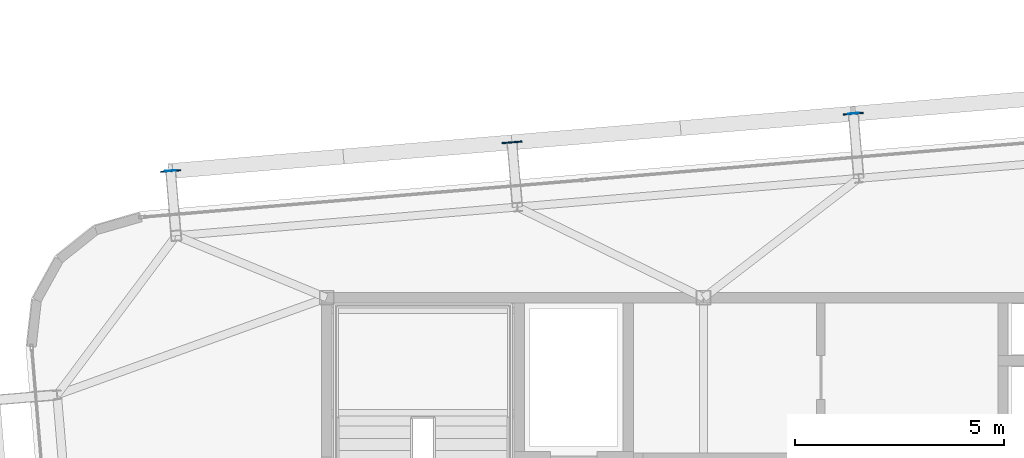
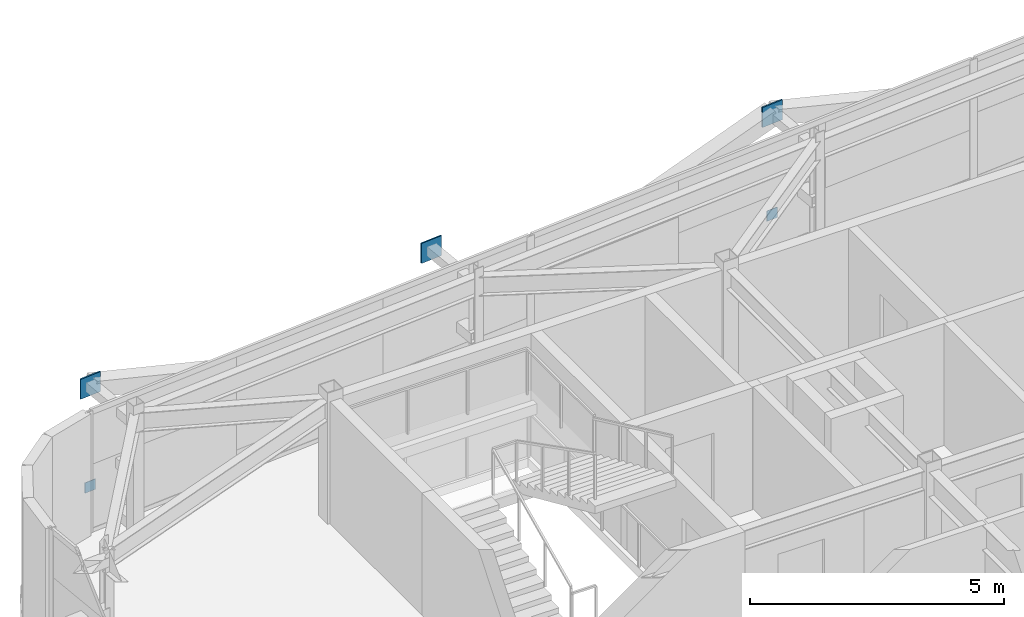
# One storey, part 31 of 37: 5 plates.
"""IFC4 building model written with IfcOpenShell, lengths in metres."""

import ifcopenshell
import ifcopenshell.guid

model = None  # the IFC model being written
_history = None  # IfcOwnerHistory: only IFC2X3 demands one
_inside = {}  # id of a spatial element -> (the spatial element, [elements in it])
_under = {}  # id of a project, library or spatial element -> (it, [spatial elements below it])
_declared = {}  # id of a project -> (the project, [libraries it declares])
_typed = {}  # id of a type object -> (the type object, [elements of that type])
_made_of = {}  # id of a material, layer set ... -> (it, [elements and type objects made of it])


def new_model(schema):
    """Start an empty IFC model of exactly this schema.

    Asked for "IFC4X3", IfcOpenShell would pick the latest addendum, in which some entities
    have other attributes; the version numbers below select the first issue.
    IFC2X3 requires an IfcOwnerHistory on every rooted entity: one is made here for all.
    """
    global model, _history
    if schema == "IFC4X3":
        model = ifcopenshell.file(schema_version=(4, 3, 0, 0))
    else:
        model = ifcopenshell.file(schema=schema)
    _inside.clear()
    _under.clear()
    _declared.clear()
    _typed.clear()
    _made_of.clear()
    _history = None
    if model.schema == "IFC2X3":
        org = make("IfcOrganization", Name="unknown")
        user = make(
            "IfcPersonAndOrganization",
            ThePerson=make("IfcPerson", FamilyName="unknown"),
            TheOrganization=org,
        )
        app = make(
            "IfcApplication",
            ApplicationDeveloper=org,
            Version="unknown",
            ApplicationFullName="unknown",
            ApplicationIdentifier="unknown",
        )
        _history = make(
            "IfcOwnerHistory",
            OwningUser=user,
            OwningApplication=app,
            ChangeAction="ADDED",
            CreationDate=0,
        )
    return model


def make(cls, **values):
    """One entity of the class cls with the attributes given. An attribute that is None is left unset."""
    return model.create_entity(
        cls, **{name: value for name, value in values.items() if value is not None}
    )


def rooted(cls, **values):
    """An entity with a GlobalId (a new one), such as an element, a storey or a relation."""
    return make(cls, GlobalId=ifcopenshell.guid.new(), OwnerHistory=_history, **values)


def si_unit(unit_type, name, prefix=None):
    """IfcSIUnit, for example si_unit("LENGTHUNIT", "METRE", prefix="MILLI")."""
    return make("IfcSIUnit", UnitType=unit_type, Prefix=prefix, Name=name)


def assignment(units):
    """IfcUnitAssignment: the units of a project."""
    return None if units is None else make("IfcUnitAssignment", Units=units)


def point(xyz):
    """IfcCartesianPoint."""
    return None if xyz is None else make("IfcCartesianPoint", Coordinates=xyz)


def direction(xyz):
    """IfcDirection."""
    return None if xyz is None else make("IfcDirection", DirectionRatios=xyz)


def frame(location, z_axis=None, x_axis=None):
    """IfcAxis2Placement3D, a coordinate frame: its origin and axes. An axis left out is left unset."""
    return make(
        "IfcAxis2Placement3D",
        Location=point(location),
        Axis=direction(z_axis),
        RefDirection=direction(x_axis),
    )


def frame_2d(location, x_axis=None):
    """IfcAxis2Placement2D, a coordinate frame in the plane: its origin and x axis."""
    return make(
        "IfcAxis2Placement2D", Location=point(location), RefDirection=direction(x_axis)
    )


def origin():
    """The frame at (0, 0, 0) with its axes left unset."""
    return frame((0.0, 0.0, 0.0))


def origin_2d():
    """The frame at (0, 0) in the plane with its x axis left unset."""
    return frame_2d((0.0, 0.0))


def place(relative_to, where):
    """IfcLocalPlacement: puts the frame where relative to a parent placement (None: the world)."""
    return make(
        "IfcLocalPlacement", PlacementRelTo=relative_to, RelativePlacement=where
    )


def context(
    kind, dimensions, precision=None, world=None, true_north=None, identifier=None
):
    """IfcGeometricRepresentationContext, for example the 3D "Model" context."""
    return make(
        "IfcGeometricRepresentationContext",
        ContextIdentifier=identifier,
        ContextType=kind,
        CoordinateSpaceDimension=dimensions,
        Precision=precision,
        WorldCoordinateSystem=world,
        TrueNorth=true_north,
    )


def subcontext(parent, identifier, kind, view, scale=None):
    """IfcGeometricRepresentationSubContext, for example "Body" below "Model"."""
    return make(
        "IfcGeometricRepresentationSubContext",
        ContextIdentifier=identifier,
        ContextType=kind,
        ParentContext=parent,
        TargetScale=scale,
        TargetView=view,
    )


def project(units=None, contexts=None):
    """IfcProject with its units and contexts."""
    return rooted(
        "IfcProject",
        Name="project",
        RepresentationContexts=contexts,
        UnitsInContext=assignment(units),
    )


def spatial(cls, under=None, at=None, **own):
    """A site, building, storey or space (cls), placed at a placement, below another one or the project."""
    s = rooted(cls, ObjectPlacement=at, **own)
    if under is not None:
        _under.setdefault(under.id(), (under, []))[1].append(s)
    return s


def profile(cls, at=None, kind="AREA", **sizes):
    """A parametric profile (cls). Its sizes go by their IFC names, for example OverallWidth=200.0."""
    return make(cls, ProfileType=kind, Position=at, **sizes)


def rectangle(**sizes):
    """IfcRectangleProfileDef."""
    return profile("IfcRectangleProfileDef", **sizes)


def extrude(swept, where, along, depth):
    """IfcExtrudedAreaSolid: the profile swept, set in the frame where, extruded along a direction by depth."""
    return make(
        "IfcExtrudedAreaSolid",
        SweptArea=swept,
        Position=where,
        ExtrudedDirection=direction(along),
        Depth=depth,
    )


def shape(context_of_items, identifier, shape_type, items):
    """IfcShapeRepresentation: the items that make up one representation, for example the "Body"."""
    return make(
        "IfcShapeRepresentation",
        ContextOfItems=context_of_items,
        RepresentationIdentifier=identifier,
        RepresentationType=shape_type,
        Items=items,
    )


def source(mapping_origin, context_of_items, identifier, shape_type, items):
    """IfcRepresentationMap: a shape defined once, which mapped items show again and again."""
    return make(
        "IfcRepresentationMap",
        MappingOrigin=mapping_origin,
        MappedRepresentation=shape(context_of_items, identifier, shape_type, items),
    )


def transform(
    local_origin,
    x_axis=None,
    y_axis=None,
    z_axis=None,
    scale=None,
    scale2=None,
    scale3=None,
    uniform=True,
):
    """IfcCartesianTransformationOperator3D, or its non-uniform kind. x_axis, y_axis, z_axis: its Axis1, 2, 3."""
    if uniform:
        return make(
            "IfcCartesianTransformationOperator3D",
            Axis1=direction(x_axis),
            Axis2=direction(y_axis),
            LocalOrigin=point(local_origin),
            Scale=scale,
            Axis3=direction(z_axis),
        )
    return make(
        "IfcCartesianTransformationOperator3DnonUniform",
        Axis1=direction(x_axis),
        Axis2=direction(y_axis),
        LocalOrigin=point(local_origin),
        Scale=scale,
        Axis3=direction(z_axis),
        Scale2=scale2,
        Scale3=scale3,
    )


def mapped(mapping_source, mapping_target):
    """IfcMappedItem: shows the shape of a source again, moved by a transform."""
    return make(
        "IfcMappedItem", MappingSource=mapping_source, MappingTarget=mapping_target
    )


def material(Name=None, Category=None):
    """IfcMaterial."""
    return make("IfcMaterial", Name=Name, Category=Category)


def layer(
    of_material, thickness, ventilated=None, Name=None, Category=None, Priority=None
):
    """IfcMaterialLayer: one layer of a wall or slab, of a material (None: an air gap)."""
    return make(
        "IfcMaterialLayer",
        Material=of_material,
        LayerThickness=thickness,
        IsVentilated=ventilated,
        Name=Name,
        Category=Category,
        Priority=Priority,
    )


def layer_set(layers, Name=None):
    """IfcMaterialLayerSet."""
    return make("IfcMaterialLayerSet", MaterialLayers=layers, LayerSetName=Name)


def made_of(thing, what):
    """Note that an element or type object is made of a material, layer set ...; save() writes the relation."""
    if what is not None:
        _made_of.setdefault(what.id(), (what, []))[1].append(thing)
    return thing


def type_object(cls, material=None, **own):
    """A type object (cls), such as IfcWallType, which elements share."""
    return made_of(rooted(cls, **own), material)


def element(
    cls,
    number,
    at=None,
    inside=None,
    cuts=None,
    type_object=None,
    material=None,
    context=None,
    identifier="Body",
    shape_type=None,
    held_by="IfcProductDefinitionShape",
    body=None,
    shapes=None,
    **own,
):
    """One element of the class cls, such as IfcWall. Its Tag is "e" and its number.

    at: its placement. inside: the storey or other place that contains it. cuts: it is an
    opening in that element (IfcRelVoidsElement). A single representation is given by context,
    identifier, shape_type and body (its items); several are given by shapes. held_by: the class
    of the entity that holds the representations. save() writes the other relations.
    """
    e = rooted(cls, Tag="e%d" % number, ObjectPlacement=at, **own)
    if body is not None:
        shapes = [shape(context, identifier, shape_type, body)]
    if shapes is not None:
        e.Representation = make(held_by, Representations=shapes)
    if inside is not None:
        _inside.setdefault(inside.id(), (inside, []))[1].append(e)
    if cuts is not None:
        rooted(
            "IfcRelVoidsElement", RelatingBuildingElement=cuts, RelatedOpeningElement=e
        )
    if type_object is not None:
        _typed.setdefault(type_object.id(), (type_object, []))[1].append(e)
    return made_of(e, material)


def aggregate(whole, parts):
    """IfcRelAggregates: a whole, such as a stair, and the parts it consists of."""
    return rooted("IfcRelAggregates", RelatingObject=whole, RelatedObjects=parts)


def save(model, path):
    """Write the relations noted so far, then the file.

    IfcRelAggregates (storeys below a building ...), IfcRelContainedInSpatialStructure (elements
    in a storey), IfcRelDefinesByType, IfcRelAssociatesMaterial and IfcRelDeclares: one each for
    every whole, place, type object, material and project.
    """
    for whole, parts in _under.values():
        aggregate(whole, parts)
    for where, things in _inside.values():
        rooted(
            "IfcRelContainedInSpatialStructure",
            RelatedElements=things,
            RelatingStructure=where,
        )
    for kind, things in _typed.values():
        rooted("IfcRelDefinesByType", RelatedObjects=things, RelatingType=kind)
    for what, things in _made_of.values():
        rooted("IfcRelAssociatesMaterial", RelatedObjects=things, RelatingMaterial=what)
    for by, libraries in _declared.values():
        rooted("IfcRelDeclares", RelatingContext=by, RelatedDefinitions=libraries)
    model.write(path)


model = new_model("IFC4")

# Units and contexts
model_context = context("Model", 3, precision=1e-05, world=origin(), true_north=direction((0.0, 1.0)))
body_context = subcontext(model_context, "Body", "Model", "MODEL_VIEW")
ifc_project = project(units=[si_unit("LENGTHUNIT", "METRE"), si_unit("AREAUNIT", "SQUARE_METRE"), si_unit("VOLUMEUNIT", "CUBIC_METRE"), si_unit("PLANEANGLEUNIT", "RADIAN"), si_unit("MASSUNIT", "GRAM", prefix="KILO")], contexts=[model_context])

# Site, building, storey
site_placement = place(None, origin())
site = spatial("IfcSite", under=ifc_project, at=site_placement, CompositionType="ELEMENT")
building_placement = place(site_placement, origin())
building = spatial("IfcBuilding", under=site, at=building_placement, Name="Taldren Reach Tower", CompositionType="ELEMENT")
storey_placement = place(building_placement, frame((0.0, 0.0, 182.0)))
storey = spatial("IfcBuildingStorey", under=building, at=storey_placement, Name="L55", CompositionType="ELEMENT", Elevation=182.0)

# Plates
ifc_material_1 = material(Name="Steel Gr 350 (C350L0)", Category="steel")
ifc_layer_1 = layer(ifc_material_1, 0.011962890625)
ifc_layer_set_1 = layer_set([ifc_layer_1], Name="Steel Gr 350 (C350L0)")
plate_type_1 = type_object("IfcPlateType", Name="PL-CAP-250", PredefinedType="SHEET", material=ifc_layer_set_1)
shared_shape_1 = source(origin(), body_context, "Body", "SweptSolid", [
    extrude(rectangle(XDim=0.25, YDim=0.011962890625, at=origin_2d()), origin(), (0.0, 0.0, 1.0), 0.25),
])
for number, where, z_axis, x_axis, name in (
    (1, (15.273681640625, 35.0341796875, 0.094970703125), (0.0, 0.0, 1.0), (0.99649285925, 0.083677843332, 0.0), "Tie strut end cap plate B4-N1 L55"),
    (2, (31.576171875, 36.403076171875, 0.094970703125), (0.0, 0.0, 1.0), (0.99649285925, 0.083677843332, 0.0), "Tie strut end cap plate B4-N3 L55"),
):
    element("IfcPlate", number, at=place(storey_placement, frame(where, z_axis=z_axis, x_axis=x_axis)), inside=storey, type_object=plate_type_1, Name=name, PredefinedType="SHEET", context=body_context, shape_type="MappedRepresentation", body=[
        mapped(shared_shape_1, transform((0.0, 0.0, 0.0), scale=1.0)),
    ])
ifc_material_2 = material(Name="Steel Gr 450 (C450L0)", Category="steel")
ifc_layer_2 = layer(ifc_material_2, 0.031982421875)
ifc_layer_set_2 = layer_set([ifc_layer_2], Name="Steel Gr 450 (C450L0)")
plate_type_2 = type_object("IfcPlateType", Name="PL-GUSSET-32", PredefinedType="SHEET", material=ifc_layer_set_2)
shared_shape_2 = source(origin(), body_context, "Body", "SweptSolid", [
    extrude(rectangle(XDim=0.47998046875, YDim=0.031982421875, at=origin_2d()), origin(), (0.0, 0.0, 1.0), 0.47998046875),
])
for number, where, z_axis, x_axis, name in (
    (3, (15.274169921875, 35.028076171875, 2.409912109375), (0.0, 0.0, 1.0), (0.99649285925, 0.083677843332, 0.0), "Exoskeleton star-node gusset plate B4-N1 L55"),
    (4, (23.42529296875, 35.712646484375, 2.409912109375), (0.0, 0.0, 1.0), (0.99649285925, 0.083677843332, 0.0), "Exoskeleton star-node gusset plate B4-N2 L55"),
    (5, (31.57666015625, 36.39697265625, 2.409912109375), (0.0, 0.0, 1.0), (0.99649285925, 0.083677843332, 0.0), "Exoskeleton star-node gusset plate B4-N3 L55"),
):
    element("IfcPlate", number, at=place(storey_placement, frame(where, z_axis=z_axis, x_axis=x_axis)), inside=storey, type_object=plate_type_2, Name=name, PredefinedType="SHEET", context=body_context, shape_type="MappedRepresentation", body=[
        mapped(shared_shape_2, transform((0.0, 0.0, 0.0), scale=1.0)),
    ])

save(model, "model.ifc")
